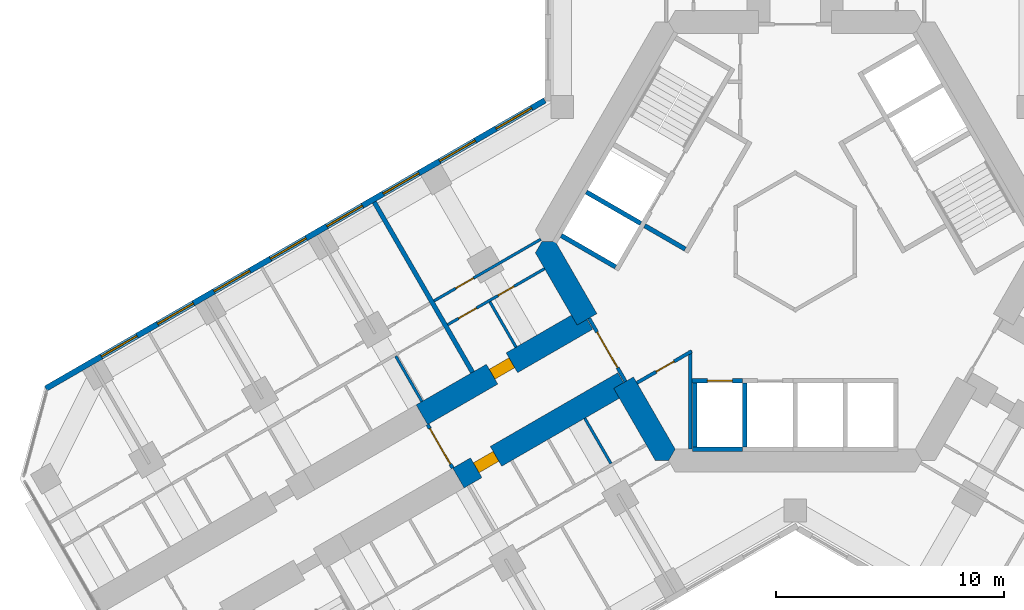
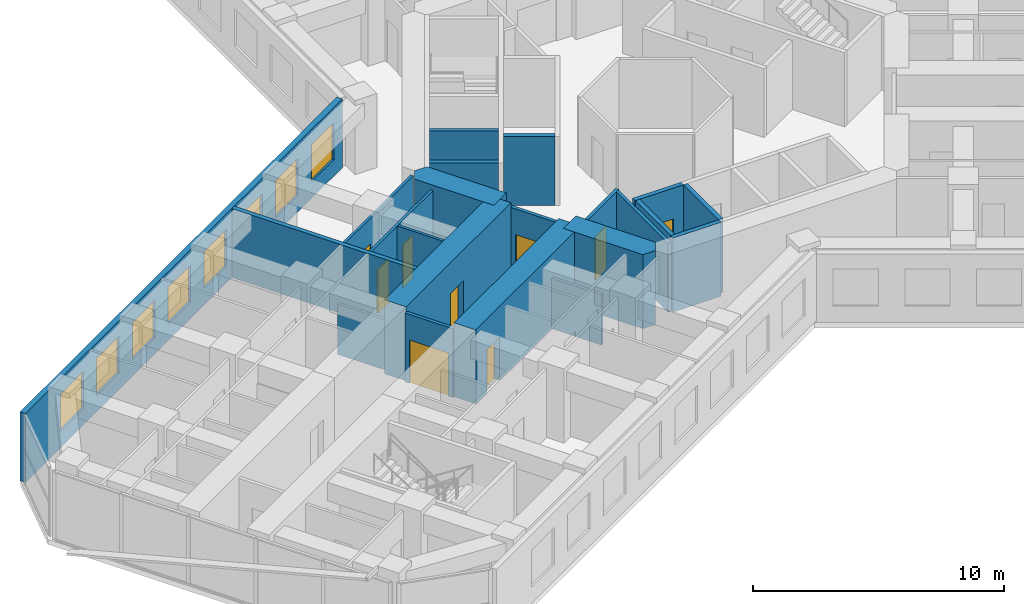
# One storey, part 12 of 21: 22 walls, 9 doors, 8 windows, 17 openings.
"""IFC4 building model written with IfcOpenShell, lengths in metres."""

from ifc_helpers import new_model, si_unit, direction, frame, frame_2d, origin, place, context, subcontext, project, spatial, polyline, rectangle, outline, extrude, material, layer, layer_set, type_object, element, fill, save


model = new_model("IFC4")

# Units and contexts
model_context = context("Model", 3, precision=1e-05, world=origin(), true_north=direction((0.0, 1.0)))
body_context = subcontext(model_context, "Body", "Model", "MODEL_VIEW")
ifc_project = project(units=[si_unit("LENGTHUNIT", "METRE"), si_unit("AREAUNIT", "SQUARE_METRE"), si_unit("VOLUMEUNIT", "CUBIC_METRE"), si_unit("PLANEANGLEUNIT", "RADIAN"), si_unit("MASSUNIT", "GRAM", prefix="KILO")], contexts=[model_context])

# Site, building, storey
site_placement = place(None, origin())
site = spatial("IfcSite", under=ifc_project, at=site_placement, CompositionType="ELEMENT")
building_placement = place(site_placement, origin())
building = spatial("IfcBuilding", under=site, at=building_placement, Name="Kosmar Iwan School Tower", CompositionType="ELEMENT")
storey_placement = place(building_placement, frame((0.0, 0.0, 53.800048828125)))
storey = spatial("IfcBuildingStorey", under=building, at=storey_placement, Name="L12", CompositionType="ELEMENT", Elevation=53.800048828125)

# Wall, opening, door
ifc_material_1 = material(Name="Gypsum board on steel studs, fire-rated", Category="steel")
ifc_layer_1 = layer(ifc_material_1, 0.14990234375)
ifc_layer_set_1 = layer_set([ifc_layer_1], Name="Core room partition 150")
wall_type_1 = type_object("IfcWallType", Name="Core room partition 150", PredefinedType="PARTITIONING", material=ifc_layer_set_1)
wall_1_placement = place(storey_placement, frame((-6.930908203125, -6.195556640625, 0.0), z_axis=(0.0, 0.0, 1.0), x_axis=(0.866007755774, 0.500030566006, 0.0)))
wall_1 = element("IfcWall", 1, at=wall_1_placement, inside=storey, type_object=wall_type_1, Name="Core room partition L12-CW10", PredefinedType="PARTITIONING", context=body_context, shape_type="SweptSolid", body=[
    extrude(rectangle(XDim=2.766357421875, YDim=0.14990234375, at=frame_2d((1.38330078125, 0.0))), origin(), (0.0, 0.0, 1.0), 3.349853515625),
])
opening_1_placement = place(wall_1_placement, frame((0.97607421875, 0.0, 0.0)))
opening_1 = element("IfcOpeningElement", 2, at=opening_1_placement, cuts=wall_1, Name="Opening D14", PredefinedType="OPENING", context=body_context, shape_type="SweptSolid", body=[
    extrude(rectangle(XDim=0.89990234375, YDim=2.10009765625, at=frame_2d((0.449951171875, 1.050048828125))), frame((0.0, 0.0869140625, 0.0), z_axis=(0.0, -1.0, 0.0), x_axis=(1.0, 0.0, 0.0)), (0.0, 0.0, 1.0), 0.173828125),
])
ifc_material_2 = material(Name="Timber fire door in steel frame", Category="steel")
door_type_1 = type_object("IfcDoorType", Name="Core room door 900x2100", OperationType="SINGLE_SWING_LEFT", PredefinedType="DOOR", material=ifc_material_2)
door_1_placement = place(opening_1_placement, origin())
door_1 = element("IfcDoor", 3, at=door_1_placement, inside=storey, type_object=door_type_1, Name="Cleaner's store door L12 4", OperationType="SINGLE_SWING_RIGHT", OverallHeight=2.10009765625, OverallWidth=0.89990234375, PredefinedType="DOOR", context=body_context, shape_type="SweptSolid", body=[
    extrude(rectangle(XDim=0.89990234375, YDim=2.10009765625, at=frame_2d((0.449951171875, 1.050048828125))), frame((0.0, 0.02490234375, 0.0), z_axis=(0.0, -1.0, 0.0), x_axis=(1.0, 0.0, 0.0)), (0.0, 0.0, 1.0), 0.050048828125),
])
fill(opening_1, door_1)

# Walls
wall_2_placement = place(storey_placement, frame((-4.60009765625, -4.774658203125, 0.0), z_axis=(0.0, 0.0, 1.0), x_axis=(0.0, -1.0, 0.0)))
element("IfcWall", 4, at=wall_2_placement, inside=storey, type_object=wall_type_1, Name="Core room partition L12-CW11", PredefinedType="PARTITIONING", context=body_context, shape_type="SweptSolid", body=[
    extrude(rectangle(XDim=4.3203125, YDim=0.14990234375, at=frame_2d((2.16015625, 0.0))), origin(), (0.0, 0.0, 1.0), 3.349853515625),
])
ifc_material_3 = material(Name="Concrete C50/60", Category="concrete")
ifc_layer_2 = layer(ifc_material_3, 1.0)
ifc_layer_set_2 = layer_set([ifc_layer_2], Name="Core wall 1000")
wall_type_2 = type_object("IfcWallType", Name="Core wall 1000", PredefinedType="SHEAR", material=ifc_layer_set_2)
wall_3_placement = place(storey_placement, origin())
element("IfcWall", 5, at=wall_3_placement, inside=storey, type_object=wall_type_2, Name="Core wall F210a", PredefinedType="SHEAR", context=body_context, shape_type="SweptSolid", body=[
    extrude(outline(polyline([(-9.546875, -3.664306640625), (-8.680908203125, -3.164306640625), (-10.5078125, 0.0), (-11.085205078125, 0.0), (-11.373779296875, -0.5), (-9.546875, -3.664306640625)])), origin(), (0.0, 0.0, 1.0), 3.599853515625),
])
wall_4_placement = place(storey_placement, origin())
element("IfcWall", 6, at=wall_4_placement, inside=storey, type_object=wall_type_2, Name="Core wall F210b", PredefinedType="SHEAR", context=body_context, shape_type="SweptSolid", body=[
    extrude(outline(polyline([(-6.119873046875, -9.60009765625), (-5.54248046875, -9.60009765625), (-5.25390625, -9.10009765625), (-7.080810546875, -5.935546875), (-7.94677734375, -6.435546875), (-6.119873046875, -9.60009765625)])), origin(), (0.0, 0.0, 1.0), 3.599853515625),
])

# Wall, opening, door
ifc_material_4 = material(Name="Concrete C50/60", Category="concrete")
ifc_layer_3 = layer(ifc_material_4, 1.0)
ifc_layer_set_3 = layer_set([ifc_layer_3], Name="Corridor buttress wall 1000")
wall_type_3 = type_object("IfcWallType", Name="Corridor buttress wall 1000", PredefinedType="SHEAR", material=ifc_layer_set_3)
wall_5_placement = place(storey_placement, frame((-7.513916015625, -6.185546875, 0.0), z_axis=(0.0, 0.0, 1.0), x_axis=(-0.866019549707, -0.500010139422, 0.0)))
wall_5 = element("IfcWall", 7, at=wall_5_placement, inside=storey, type_object=wall_type_3, Name="Corridor wall BL", PredefinedType="SHEAR", context=body_context, shape_type="SweptSolid", body=[
    extrude(rectangle(XDim=8.349853515625, YDim=1.0, at=frame_2d((4.1748046875, 0.0))), origin(), (0.0, 0.0, 1.0), 3.599853515625),
])
opening_2_placement = place(wall_5_placement, frame((6.449951171875, 0.0, 0.0)))
opening_2 = element("IfcOpeningElement", 8, at=opening_2_placement, cuts=wall_5, Name="Opening D1", PredefinedType="OPENING", context=body_context, shape_type="SweptSolid", body=[
    extrude(rectangle(XDim=1.0, YDim=2.10009765625, at=frame_2d((0.5, 1.050048828125))), frame((0.0, 0.511962890625, 0.0), z_axis=(0.0, -1.0, 0.0), x_axis=(1.0, 0.0, 0.0)), (0.0, 0.0, 1.0), 1.02392578125),
])
ifc_material_5 = material(Name="Timber fire door in steel frame", Category="steel")
door_type_2 = type_object("IfcDoorType", Name="Flat entrance door 1000x2100", OperationType="SINGLE_SWING_LEFT", PredefinedType="DOOR", material=ifc_material_5)
door_2_placement = place(opening_2_placement, origin())
door_2 = element("IfcDoor", 9, at=door_2_placement, inside=storey, type_object=door_type_2, Name="Flat L12-BL1 entrance door", OperationType="SINGLE_SWING_LEFT", OverallHeight=2.10009765625, OverallWidth=1.0, PredefinedType="DOOR", context=body_context, shape_type="SweptSolid", body=[
    extrude(rectangle(XDim=1.0, YDim=2.10009765625, at=frame_2d((0.5, 1.050048828125))), frame((0.0, 0.25, 0.0), z_axis=(0.0, -1.0, 0.0), x_axis=(1.0, 0.0, 0.0)), (0.0, 0.0, 1.0), 0.5),
])
fill(opening_2, door_2)

wall_6_placement = place(storey_placement, frame((-9.11376953125, -3.414306640625, 0.0), z_axis=(0.0, 0.0, 1.0), x_axis=(-0.866026859388, -0.499997478812, 0.0)))
wall_6 = element("IfcWall", 10, at=wall_6_placement, inside=storey, type_object=wall_type_3, Name="Corridor wall BR", PredefinedType="SHEAR", context=body_context, shape_type="SweptSolid", body=[
    extrude(rectangle(XDim=8.35009765625, YDim=1.0, at=frame_2d((4.175048828125, 0.0))), origin(), (0.0, 0.0, 1.0), 3.599853515625),
])
opening_3_placement = place(wall_6_placement, frame((3.800048828125, 0.0, 0.0)))
opening_3 = element("IfcOpeningElement", 11, at=opening_3_placement, cuts=wall_6, Name="Opening D1", PredefinedType="OPENING", context=body_context, shape_type="SweptSolid", body=[
    extrude(rectangle(XDim=1.0, YDim=2.10009765625, at=frame_2d((0.5, 1.050048828125))), frame((0.0, 0.511962890625, 0.0), z_axis=(0.0, -1.0, 0.0), x_axis=(1.0, 0.0, 0.0)), (0.0, 0.0, 1.0), 1.02392578125),
])
door_3_placement = place(opening_3_placement, origin())
door_3 = element("IfcDoor", 12, at=door_3_placement, inside=storey, type_object=door_type_2, Name="Flat L12-BR1 entrance door", OperationType="SINGLE_SWING_RIGHT", OverallHeight=2.10009765625, OverallWidth=1.0, PredefinedType="DOOR", context=body_context, shape_type="SweptSolid", body=[
    extrude(rectangle(XDim=1.0, YDim=2.10009765625, at=frame_2d((0.5, 1.050048828125))), frame((0.0, 0.25, 0.0), z_axis=(0.0, -1.0, 0.0), x_axis=(1.0, 0.0, 0.0)), (0.0, 0.0, 1.0), 0.5),
])
fill(opening_3, door_3)

ifc_material_6 = material(Name="Gypsum board on steel studs, fire-rated", Category="steel")
ifc_layer_4 = layer(ifc_material_6, 0.14990234375)
ifc_layer_set_4 = layer_set([ifc_layer_4], Name="Corridor end wall 150")
wall_type_4 = type_object("IfcWallType", Name="Corridor end wall 150", PredefinedType="PARTITIONING", material=ifc_layer_set_4)
wall_7_placement = place(storey_placement, frame((-16.09521484375, -8.0224609375, 0.0), z_axis=(0.0, 0.0, 1.0), x_axis=(0.50002983664, -0.866008176907, 0.0)))
wall_7 = element("IfcWall", 13, at=wall_7_placement, inside=storey, type_object=wall_type_4, Name="Partition L12-B-HW", PredefinedType="PARTITIONING", context=body_context, shape_type="SweptSolid", body=[
    extrude(rectangle(XDim=2.199951171875, YDim=0.14990234375, at=frame_2d((1.10009765625, 0.0))), origin(), (0.0, 0.0, 1.0), 3.349853515625),
])
opening_4_placement = place(wall_7_placement, frame((0.199951171875, 0.0, 0.0)))
opening_4 = element("IfcOpeningElement", 14, at=opening_4_placement, cuts=wall_7, Name="Opening D9", PredefinedType="OPENING", context=body_context, shape_type="SweptSolid", body=[
    extrude(rectangle(XDim=1.800048828125, YDim=2.10009765625, at=frame_2d((0.89990234375, 1.050048828125))), frame((0.0, 0.0869140625, 0.0), z_axis=(0.0, -1.0, 0.0), x_axis=(1.0, 0.0, 0.0)), (0.0, 0.0, 1.0), 0.173828125),
])
ifc_material_7 = material(Name="Steel framed glazed smoke door", Category="steel")
door_type_3 = type_object("IfcDoorType", Name="Corridor smoke door pair 1800x2100", OperationType="DOUBLE_DOOR_DOUBLE_SWING", PredefinedType="DOOR", material=ifc_material_7)
door_4_placement = place(opening_4_placement, origin())
door_4 = element("IfcDoor", 15, at=door_4_placement, inside=storey, type_object=door_type_3, Name="Entrance vestibule smoke doors L12-B", OperationType="DOUBLE_DOOR_DOUBLE_SWING", OverallHeight=2.10009765625, OverallWidth=1.800048828125, PredefinedType="DOOR", context=body_context, shape_type="SweptSolid", body=[
    extrude(rectangle(XDim=1.800048828125, YDim=2.10009765625, at=frame_2d((0.89990234375, 1.050048828125))), frame((0.0, 0.02490234375, 0.0), z_axis=(0.0, -1.0, 0.0), x_axis=(1.0, 0.0, 0.0)), (0.0, 0.0, 1.0), 0.050048828125),
])
fill(opening_4, door_4)

ifc_material_8 = material(Name="Steel framed glazed screen", Category="steel")
ifc_layer_5 = layer(ifc_material_8, 0.14990234375)
ifc_layer_set_5 = layer_set([ifc_layer_5], Name="Corridor screen wall 150")
wall_type_5 = type_object("IfcWallType", Name="Corridor screen wall 150", PredefinedType="PARTITIONING", material=ifc_layer_set_5)
wall_8_placement = place(storey_placement, frame((-9.02734375, -3.3642578125, 0.0), z_axis=(0.0, 0.0, 1.0), x_axis=(0.499995408039, -0.866028054938, 0.0)))
wall_8 = element("IfcWall", 16, at=wall_8_placement, inside=storey, type_object=wall_type_5, Name="Corridor screen B L12", PredefinedType="PARTITIONING", context=body_context, shape_type="SweptSolid", body=[
    extrude(rectangle(XDim=3.2001953125, YDim=0.14990234375, at=frame_2d((1.60009765625, 0.0))), origin(), (0.0, 0.0, 1.0), 3.349853515625),
])
opening_5_placement = place(wall_8_placement, frame((0.699951171875, 0.0, 0.0)))
opening_5 = element("IfcOpeningElement", 17, at=opening_5_placement, cuts=wall_8, Name="Opening D9", PredefinedType="OPENING", context=body_context, shape_type="SweptSolid", body=[
    extrude(rectangle(XDim=1.800048828125, YDim=2.10009765625, at=frame_2d((0.89990234375, 1.050048828125))), frame((0.0, 0.0869140625, 0.0), z_axis=(0.0, -1.0, 0.0), x_axis=(1.0, 0.0, 0.0)), (0.0, 0.0, 1.0), 0.173828125),
])
door_5_placement = place(opening_5_placement, origin())
door_5 = element("IfcDoor", 18, at=door_5_placement, inside=storey, type_object=door_type_3, Name="Corridor doors B L12", OperationType="DOUBLE_DOOR_DOUBLE_SWING", OverallHeight=2.10009765625, OverallWidth=1.800048828125, PredefinedType="DOOR", context=body_context, shape_type="SweptSolid", body=[
    extrude(rectangle(XDim=1.800048828125, YDim=2.10009765625, at=frame_2d((0.89990234375, 1.050048828125))), frame((0.0, 0.02490234375, 0.0), z_axis=(0.0, -1.0, 0.0), x_axis=(1.0, 0.0, 0.0)), (0.0, 0.0, 1.0), 0.050048828125),
])
fill(opening_5, door_5)

# Wall
ifc_material_9 = material(Name="Gypsum board on steel studs", Category="steel")
ifc_layer_6 = layer(ifc_material_9, 0.1201171875)
ifc_layer_set_6 = layer_set([ifc_layer_6], Name="Dwelling partition 120")
wall_type_6 = type_object("IfcWallType", Name="Dwelling partition 120", PredefinedType="PARTITIONING", material=ifc_layer_set_6)
wall_9_placement = place(storey_placement, frame((-9.21240234375, -7.74365234375, 0.0), z_axis=(0.0, 0.0, 1.0), x_axis=(0.500014693593, -0.866016920268, 0.0)))
element("IfcWall", 19, at=wall_9_placement, inside=storey, type_object=wall_type_6, Name="Partition L12-BL1-Y1", PredefinedType="PARTITIONING", context=body_context, shape_type="SweptSolid", body=[
    extrude(rectangle(XDim=2.2900390625, YDim=0.1201171875, at=frame_2d((1.14501953125, 0.0))), origin(), (0.0, 0.0, 1.0), 2.449951171875),
])

# Wall, openings, doors
wall_10_placement = place(storey_placement, frame((-10.971923828125, -1.1962890625, 0.0), z_axis=(0.0, 0.0, 1.0), x_axis=(-0.866023786258, -0.500002801628, 0.0)))
wall_10 = element("IfcWall", 20, at=wall_10_placement, inside=storey, type_object=wall_type_6, Name="Partition L12-BR1-W1", PredefinedType="PARTITIONING", context=body_context, shape_type="SweptSolid", body=[
    extrude(rectangle(XDim=4.89990234375, YDim=0.1201171875, at=frame_2d((2.449951171875, 0.0))), origin(), (0.0, 0.0, 1.0), 3.349853515625),
])
opening_6_placement = place(wall_10_placement, frame((1.550048828125, 0.0, 0.0)))
opening_6 = element("IfcOpeningElement", 21, at=opening_6_placement, cuts=wall_10, Name="Opening D3", PredefinedType="OPENING", context=body_context, shape_type="SweptSolid", body=[
    extrude(rectangle(XDim=0.800048828125, YDim=2.10009765625, at=frame_2d((0.39990234375, 1.050048828125))), frame((0.0, 0.072021484375, 0.0), z_axis=(0.0, -1.0, 0.0), x_axis=(1.0, 0.0, 0.0)), (0.0, 0.0, 1.0), 0.14404296875),
])
opening_7_placement = place(wall_10_placement, frame((3.449951171875, 0.0, 0.0)))
opening_7 = element("IfcOpeningElement", 22, at=opening_7_placement, cuts=wall_10, Name="Opening D2", PredefinedType="OPENING", context=body_context, shape_type="SweptSolid", body=[
    extrude(rectangle(XDim=0.89990234375, YDim=2.10009765625, at=frame_2d((0.449951171875, 1.050048828125))), frame((0.0, 0.072021484375, 0.0), z_axis=(0.0, -1.0, 0.0), x_axis=(1.0, 0.0, 0.0)), (0.0, 0.0, 1.0), 0.14404296875),
])
ifc_material_10 = material(Name="Timber door in timber frame", Category="wood")
door_type_4 = type_object("IfcDoorType", Name="Internal door 900x2100", OperationType="SINGLE_SWING_LEFT", PredefinedType="DOOR", material=ifc_material_10)
door_6_placement = place(opening_7_placement, origin())
door_6 = element("IfcDoor", 23, at=door_6_placement, inside=storey, type_object=door_type_4, Name="Entrance hall door L12-BR1-S2", OperationType="SINGLE_SWING_RIGHT", OverallHeight=2.10009765625, OverallWidth=0.89990234375, PredefinedType="DOOR", context=body_context, shape_type="SweptSolid", body=[
    extrude(rectangle(XDim=0.89990234375, YDim=2.10009765625, at=frame_2d((0.449951171875, 1.050048828125))), frame((0.0, 0.02490234375, 0.0), z_axis=(0.0, -1.0, 0.0), x_axis=(1.0, 0.0, 0.0)), (0.0, 0.0, 1.0), 0.050048828125),
])
fill(opening_7, door_6)
ifc_material_11 = material(Name="Timber door in timber frame", Category="wood")
door_type_5 = type_object("IfcDoorType", Name="Sanitary room door 800x2100", OperationType="SINGLE_SWING_LEFT", PredefinedType="DOOR", material=ifc_material_11)
door_7_placement = place(opening_6_placement, origin())
door_7 = element("IfcDoor", 24, at=door_7_placement, inside=storey, type_object=door_type_5, Name="Bathroom door L12-BR1-S1", OperationType="SINGLE_SWING_RIGHT", OverallHeight=2.10009765625, OverallWidth=0.800048828125, PredefinedType="DOOR", context=body_context, shape_type="SweptSolid", body=[
    extrude(rectangle(XDim=0.800048828125, YDim=2.10009765625, at=frame_2d((0.39990234375, 1.050048828125))), frame((0.0, 0.02490234375, 0.0), z_axis=(0.0, -1.0, 0.0), x_axis=(1.0, 0.0, 0.0)), (0.0, 0.0, 1.0), 0.050048828125),
])
fill(opening_6, door_7)

# Wall, opening, door
wall_11_placement = place(storey_placement, frame((-11.138916015625, 0.093017578125, 0.0), z_axis=(0.0, 0.0, 1.0), x_axis=(-0.866028230842, -0.499995103361, 0.0)))
wall_11 = element("IfcWall", 25, at=wall_11_placement, inside=storey, type_object=wall_type_6, Name="Partition L12-BR1-W2", PredefinedType="PARTITIONING", context=body_context, shape_type="SweptSolid", body=[
    extrude(rectangle(XDim=5.39990234375, YDim=0.1201171875, at=frame_2d((2.699951171875, 0.0))), origin(), (0.0, 0.0, 1.0), 3.349853515625),
])
opening_8_placement = place(wall_11_placement, frame((3.39990234375, 0.0, 0.0)))
opening_8 = element("IfcOpeningElement", 26, at=opening_8_placement, cuts=wall_11, Name="Opening D2", PredefinedType="OPENING", context=body_context, shape_type="SweptSolid", body=[
    extrude(rectangle(XDim=0.89990234375, YDim=2.10009765625, at=frame_2d((0.449951171875, 1.050048828125))), frame((0.0, 0.072021484375, 0.0), z_axis=(0.0, -1.0, 0.0), x_axis=(1.0, 0.0, 0.0)), (0.0, 0.0, 1.0), 0.14404296875),
])
door_8_placement = place(opening_8_placement, origin())
door_8 = element("IfcDoor", 27, at=door_8_placement, inside=storey, type_object=door_type_4, Name="Studio living room and kitchen door L12-BR1-F1", OperationType="SINGLE_SWING_RIGHT", OverallHeight=2.10009765625, OverallWidth=0.89990234375, PredefinedType="DOOR", context=body_context, shape_type="SweptSolid", body=[
    extrude(rectangle(XDim=0.89990234375, YDim=2.10009765625, at=frame_2d((0.449951171875, 1.050048828125))), frame((0.0, 0.02490234375, 0.0), z_axis=(0.0, -1.0, 0.0), x_axis=(1.0, 0.0, 0.0)), (0.0, 0.0, 1.0), 0.050048828125),
])
fill(opening_8, door_8)

# Walls
wall_12_placement = place(storey_placement, frame((-12.2216796875, -4.63134765625, 0.0), z_axis=(0.0, 0.0, 1.0), x_axis=(-0.500014693593, 0.866016920268, 0.0)))
element("IfcWall", 28, at=wall_12_placement, inside=storey, type_object=wall_type_6, Name="Partition L12-BR1-Y1", PredefinedType="PARTITIONING", context=body_context, shape_type="SweptSolid", body=[
    extrude(rectangle(XDim=2.2900390625, YDim=0.1201171875, at=frame_2d((1.14501953125, 0.0))), origin(), (0.0, 0.0, 1.0), 3.349853515625),
])
wall_13_placement = place(storey_placement, frame((-16.341552734375, -7.010009765625, 0.0), z_axis=(0.0, 0.0, 1.0), x_axis=(-0.499968531483, 0.866043571379, 0.0)))
element("IfcWall", 29, at=wall_13_placement, inside=storey, type_object=wall_type_6, Name="Partition L12-BR2-Y1", PredefinedType="PARTITIONING", context=body_context, shape_type="SweptSolid", body=[
    extrude(rectangle(XDim=2.290283203125, YDim=0.1201171875, at=frame_2d((1.14501953125, 0.0))), origin(), (0.0, 0.0, 1.0), 2.449951171875),
])

# Wall, openings, windows
ifc_material_12 = material(Name="Black aluminium rainscreen on insulated framing", Category="aluminium")
ifc_layer_7 = layer(ifc_material_12, 0.25)
ifc_layer_set_7 = layer_set([ifc_layer_7], Name="External wall rainscreen 250")
wall_type_7 = type_object("IfcWallType", Name="External wall rainscreen 250", PredefinedType="SOLIDWALL", material=ifc_layer_set_7)
wall_14_placement = place(storey_placement, frame((-10.962890625, 6.170166015625, 0.0), z_axis=(0.0, 0.0, 1.0), x_axis=(-0.86602796634, -0.499995561497, 0.0)))
wall_14 = element("IfcWall", 30, at=wall_14_placement, inside=storey, type_object=wall_type_7, Name="External wall BR L12", PredefinedType="SOLIDWALL", context=body_context, shape_type="SweptSolid", body=[
    extrude(rectangle(XDim=25.226318359375, YDim=0.25, at=frame_2d((12.61328125, 0.0))), origin(), (0.0, 0.0, 1.0), 3.349853515625),
])
opening_9_placement = place(wall_14_placement, frame((0.666015625, 0.0, 0.800048828125)))
opening_9 = element("IfcOpeningElement", 31, at=opening_9_placement, cuts=wall_14, Name="Opening W1", PredefinedType="OPENING", context=body_context, shape_type="SweptSolid", body=[
    extrude(rectangle(XDim=1.800048828125, YDim=1.800048828125, at=frame_2d((0.89990234375, 0.89990234375))), frame((0.0, 0.136962890625, 0.0), z_axis=(0.0, -1.0, 0.0), x_axis=(1.0, 0.0, 0.0)), (0.0, 0.0, 1.0), 0.27392578125),
])
opening_10_placement = place(wall_14_placement, frame((3.51611328125, 0.0, 0.800048828125)))
opening_10 = element("IfcOpeningElement", 32, at=opening_10_placement, cuts=wall_14, Name="Opening W1", PredefinedType="OPENING", context=body_context, shape_type="SweptSolid", body=[
    extrude(rectangle(XDim=1.800048828125, YDim=1.800048828125, at=frame_2d((0.89990234375, 0.89990234375))), frame((0.0, 0.136962890625, 0.0), z_axis=(0.0, -1.0, 0.0), x_axis=(1.0, 0.0, 0.0)), (0.0, 0.0, 1.0), 0.27392578125),
])
opening_11_placement = place(wall_14_placement, frame((6.365966796875, 0.0, 0.800048828125)))
opening_11 = element("IfcOpeningElement", 33, at=opening_11_placement, cuts=wall_14, Name="Opening W1", PredefinedType="OPENING", context=body_context, shape_type="SweptSolid", body=[
    extrude(rectangle(XDim=1.800048828125, YDim=1.800048828125, at=frame_2d((0.89990234375, 0.89990234375))), frame((0.0, 0.136962890625, 0.0), z_axis=(0.0, -1.0, 0.0), x_axis=(1.0, 0.0, 0.0)), (0.0, 0.0, 1.0), 0.27392578125),
])
opening_12_placement = place(wall_14_placement, frame((9.216064453125, 0.0, 0.800048828125)))
opening_12 = element("IfcOpeningElement", 34, at=opening_12_placement, cuts=wall_14, Name="Opening W1", PredefinedType="OPENING", context=body_context, shape_type="SweptSolid", body=[
    extrude(rectangle(XDim=1.800048828125, YDim=1.800048828125, at=frame_2d((0.89990234375, 0.89990234375))), frame((0.0, 0.136962890625, 0.0), z_axis=(0.0, -1.0, 0.0), x_axis=(1.0, 0.0, 0.0)), (0.0, 0.0, 1.0), 0.27392578125),
])
opening_13_placement = place(wall_14_placement, frame((12.06591796875, 0.0, 0.800048828125)))
opening_13 = element("IfcOpeningElement", 35, at=opening_13_placement, cuts=wall_14, Name="Opening W1", PredefinedType="OPENING", context=body_context, shape_type="SweptSolid", body=[
    extrude(rectangle(XDim=1.800048828125, YDim=1.800048828125, at=frame_2d((0.89990234375, 0.89990234375))), frame((0.0, 0.136962890625, 0.0), z_axis=(0.0, -1.0, 0.0), x_axis=(1.0, 0.0, 0.0)), (0.0, 0.0, 1.0), 0.27392578125),
])
opening_14_placement = place(wall_14_placement, frame((14.916015625, 0.0, 0.800048828125)))
opening_14 = element("IfcOpeningElement", 36, at=opening_14_placement, cuts=wall_14, Name="Opening W1", PredefinedType="OPENING", context=body_context, shape_type="SweptSolid", body=[
    extrude(rectangle(XDim=1.800048828125, YDim=1.800048828125, at=frame_2d((0.89990234375, 0.89990234375))), frame((0.0, 0.136962890625, 0.0), z_axis=(0.0, -1.0, 0.0), x_axis=(1.0, 0.0, 0.0)), (0.0, 0.0, 1.0), 0.27392578125),
])
opening_15_placement = place(wall_14_placement, frame((17.76611328125, 0.0, 0.800048828125)))
opening_15 = element("IfcOpeningElement", 37, at=opening_15_placement, cuts=wall_14, Name="Opening W1", PredefinedType="OPENING", context=body_context, shape_type="SweptSolid", body=[
    extrude(rectangle(XDim=1.800048828125, YDim=1.800048828125, at=frame_2d((0.89990234375, 0.89990234375))), frame((0.0, 0.136962890625, 0.0), z_axis=(0.0, -1.0, 0.0), x_axis=(1.0, 0.0, 0.0)), (0.0, 0.0, 1.0), 0.27392578125),
])
opening_16_placement = place(wall_14_placement, frame((20.615966796875, 0.0, 0.800048828125)))
opening_16 = element("IfcOpeningElement", 38, at=opening_16_placement, cuts=wall_14, Name="Opening W1", PredefinedType="OPENING", context=body_context, shape_type="SweptSolid", body=[
    extrude(rectangle(XDim=1.800048828125, YDim=1.800048828125, at=frame_2d((0.89990234375, 0.89990234375))), frame((0.0, 0.136962890625, 0.0), z_axis=(0.0, -1.0, 0.0), x_axis=(1.0, 0.0, 0.0)), (0.0, 0.0, 1.0), 0.27392578125),
])
ifc_material_13 = material(Name="Black aluminium frame with dark triple glazing", Category="aluminium")
window_type = type_object("IfcWindowType", Name="Window 1800x1800", PartitioningType="SINGLE_PANEL", PredefinedType="WINDOW", material=ifc_material_13)
window_1_placement = place(opening_9_placement, origin())
window_1 = element("IfcWindow", 39, at=window_1_placement, inside=storey, type_object=window_type, Name="Window BR L12 -1", OverallHeight=1.800048828125, OverallWidth=1.800048828125, PartitioningType="SINGLE_PANEL", PredefinedType="WINDOW", context=body_context, shape_type="SweptSolid", body=[
    extrude(rectangle(XDim=1.800048828125, YDim=1.800048828125, at=frame_2d((0.89990234375, 0.89990234375))), frame((0.0, 0.030029296875, 0.0), z_axis=(0.0, -1.0, 0.0), x_axis=(1.0, 0.0, 0.0)), (0.0, 0.0, 1.0), 0.06005859375),
])
fill(opening_9, window_1)
window_2_placement = place(opening_10_placement, origin())
window_2 = element("IfcWindow", 40, at=window_2_placement, inside=storey, type_object=window_type, Name="Window BR L12 0", OverallHeight=1.800048828125, OverallWidth=1.800048828125, PartitioningType="SINGLE_PANEL", PredefinedType="WINDOW", context=body_context, shape_type="SweptSolid", body=[
    extrude(rectangle(XDim=1.800048828125, YDim=1.800048828125, at=frame_2d((0.89990234375, 0.89990234375))), frame((0.0, 0.030029296875, 0.0), z_axis=(0.0, -1.0, 0.0), x_axis=(1.0, 0.0, 0.0)), (0.0, 0.0, 1.0), 0.06005859375),
])
fill(opening_10, window_2)
window_3_placement = place(opening_11_placement, origin())
window_3 = element("IfcWindow", 41, at=window_3_placement, inside=storey, type_object=window_type, Name="Window BR L12 1", OverallHeight=1.800048828125, OverallWidth=1.800048828125, PartitioningType="SINGLE_PANEL", PredefinedType="WINDOW", context=body_context, shape_type="SweptSolid", body=[
    extrude(rectangle(XDim=1.800048828125, YDim=1.800048828125, at=frame_2d((0.89990234375, 0.89990234375))), frame((0.0, 0.030029296875, 0.0), z_axis=(0.0, -1.0, 0.0), x_axis=(1.0, 0.0, 0.0)), (0.0, 0.0, 1.0), 0.06005859375),
])
fill(opening_11, window_3)
window_4_placement = place(opening_12_placement, origin())
window_4 = element("IfcWindow", 42, at=window_4_placement, inside=storey, type_object=window_type, Name="Window BR L12 2", OverallHeight=1.800048828125, OverallWidth=1.800048828125, PartitioningType="SINGLE_PANEL", PredefinedType="WINDOW", context=body_context, shape_type="SweptSolid", body=[
    extrude(rectangle(XDim=1.800048828125, YDim=1.800048828125, at=frame_2d((0.89990234375, 0.89990234375))), frame((0.0, 0.030029296875, 0.0), z_axis=(0.0, -1.0, 0.0), x_axis=(1.0, 0.0, 0.0)), (0.0, 0.0, 1.0), 0.06005859375),
])
fill(opening_12, window_4)
window_5_placement = place(opening_13_placement, origin())
window_5 = element("IfcWindow", 43, at=window_5_placement, inside=storey, type_object=window_type, Name="Window BR L12 3", OverallHeight=1.800048828125, OverallWidth=1.800048828125, PartitioningType="SINGLE_PANEL", PredefinedType="WINDOW", context=body_context, shape_type="SweptSolid", body=[
    extrude(rectangle(XDim=1.800048828125, YDim=1.800048828125, at=frame_2d((0.89990234375, 0.89990234375))), frame((0.0, 0.030029296875, 0.0), z_axis=(0.0, -1.0, 0.0), x_axis=(1.0, 0.0, 0.0)), (0.0, 0.0, 1.0), 0.06005859375),
])
fill(opening_13, window_5)
window_6_placement = place(opening_14_placement, origin())
window_6 = element("IfcWindow", 44, at=window_6_placement, inside=storey, type_object=window_type, Name="Window BR L12 4", OverallHeight=1.800048828125, OverallWidth=1.800048828125, PartitioningType="SINGLE_PANEL", PredefinedType="WINDOW", context=body_context, shape_type="SweptSolid", body=[
    extrude(rectangle(XDim=1.800048828125, YDim=1.800048828125, at=frame_2d((0.89990234375, 0.89990234375))), frame((0.0, 0.030029296875, 0.0), z_axis=(0.0, -1.0, 0.0), x_axis=(1.0, 0.0, 0.0)), (0.0, 0.0, 1.0), 0.06005859375),
])
fill(opening_14, window_6)
window_7_placement = place(opening_15_placement, origin())
window_7 = element("IfcWindow", 45, at=window_7_placement, inside=storey, type_object=window_type, Name="Window BR L12 5", OverallHeight=1.800048828125, OverallWidth=1.800048828125, PartitioningType="SINGLE_PANEL", PredefinedType="WINDOW", context=body_context, shape_type="SweptSolid", body=[
    extrude(rectangle(XDim=1.800048828125, YDim=1.800048828125, at=frame_2d((0.89990234375, 0.89990234375))), frame((0.0, 0.030029296875, 0.0), z_axis=(0.0, -1.0, 0.0), x_axis=(1.0, 0.0, 0.0)), (0.0, 0.0, 1.0), 0.06005859375),
])
fill(opening_15, window_7)
window_8_placement = place(opening_16_placement, origin())
window_8 = element("IfcWindow", 46, at=window_8_placement, inside=storey, type_object=window_type, Name="Window BR L12 6", OverallHeight=1.800048828125, OverallWidth=1.800048828125, PartitioningType="SINGLE_PANEL", PredefinedType="WINDOW", context=body_context, shape_type="SweptSolid", body=[
    extrude(rectangle(XDim=1.800048828125, YDim=1.800048828125, at=frame_2d((0.89990234375, 0.89990234375))), frame((0.0, 0.030029296875, 0.0), z_axis=(0.0, -1.0, 0.0), x_axis=(1.0, 0.0, 0.0)), (0.0, 0.0, 1.0), 0.06005859375),
])
fill(opening_16, window_8)

# Walls
ifc_material_14 = material(Name="Concrete block masonry", Category="masonry")
ifc_layer_8 = layer(ifc_material_14, 0.199951171875)
ifc_layer_set_8 = layer_set([ifc_layer_8], Name="Fire lobby wall 200")
wall_type_8 = type_object("IfcWallType", Name="Fire lobby wall 200", PredefinedType="PARTITIONING", material=ifc_layer_set_8)
wall_15_placement = place(storey_placement, frame((-4.814208984375, -0.33837890625, 0.0), z_axis=(0.0, 0.0, 1.0), x_axis=(-0.865969381856, 0.500097020274, 0.0)))
element("IfcWall", 47, at=wall_15_placement, inside=storey, type_object=wall_type_8, Name="Firefighting lobby wall ST2", PredefinedType="PARTITIONING", context=body_context, shape_type="SweptSolid", body=[
    extrude(rectangle(XDim=2.0498046875, YDim=0.199951171875, at=frame_2d((1.02490234375, 0.0))), origin(), (0.0, 0.0, 1.0), 3.349853515625),
])
ifc_material_15 = material(Name="Concrete C50/60", Category="concrete")
ifc_layer_9 = layer(ifc_material_15, 0.199951171875)
ifc_layer_set_9 = layer_set([ifc_layer_9], Name="Lift shaft wall 200")
wall_type_9 = type_object("IfcWallType", Name="Lift shaft wall 200", PredefinedType="SHEAR", material=ifc_layer_set_9)
for number, where, z_axis, x_axis, name in (
    (48, (-6.7626953125, 0.78662109375, 0.0), (0.0, 0.0, 1.0), (-0.866027397988, 0.499996545922, 0.0), "Lift shaft wall AB 1"),
    (49, (-7.862548828125, -1.118408203125, 0.0), (0.0, 0.0, 1.0), (-0.866027397988, 0.499996545922, 0.0), "Lift shaft wall AB 2"),
):
    element("IfcWall", number, at=place(storey_placement, frame(where, z_axis=z_axis, x_axis=x_axis)), inside=storey, type_object=wall_type_9, Name=name, PredefinedType="SHEAR", context=body_context, shape_type="SweptSolid", body=[
        extrude(rectangle(XDim=2.75, YDim=0.199951171875, at=frame_2d((1.375, 0.0))), origin(), (0.0, 0.0, 1.0), 3.599853515625),
    ])

# Wall, opening, door
wall_16_placement = place(storey_placement, frame((-4.52490234375, -6.10009765625, 0.0), z_axis=(0.0, 0.0, 1.0), x_axis=(1.0, 0.0, 0.0)))
wall_16 = element("IfcWall", 50, at=wall_16_placement, inside=storey, type_object=wall_type_9, Name="Lift and stair front wall BC", PredefinedType="SHEAR", context=body_context, shape_type="SweptSolid", body=[
    extrude(rectangle(XDim=2.224853515625, YDim=0.199951171875, at=frame_2d((1.1123046875, 0.0))), origin(), (0.0, 0.0, 1.0), 3.599853515625),
])
opening_17_placement = place(wall_16_placement, frame((0.675048828125, 0.0, 0.0)))
opening_17 = element("IfcOpeningElement", 51, at=opening_17_placement, cuts=wall_16, Name="Opening LD1", PredefinedType="OPENING", context=body_context, shape_type="SweptSolid", body=[
    extrude(rectangle(XDim=1.10009765625, YDim=2.10009765625, at=frame_2d((0.550048828125, 1.050048828125))), frame((0.0, 0.112060546875, 0.0), z_axis=(0.0, -1.0, 0.0), x_axis=(1.0, 0.0, 0.0)), (0.0, 0.0, 1.0), 0.223876953125),
])
ifc_material_16 = material(Name="Stainless steel sliding lift door", Category="steel")
door_type_6 = type_object("IfcDoorType", Name="Lift landing door 1100x2100", OperationType="SLIDING_TO_LEFT", PredefinedType="DOOR", material=ifc_material_16)
door_9_placement = place(opening_17_placement, origin())
door_9 = element("IfcDoor", 52, at=door_9_placement, inside=storey, type_object=door_type_6, Name="Lift PL1 landing door L12", OperationType="SLIDING_TO_LEFT", OverallHeight=2.10009765625, OverallWidth=1.10009765625, PredefinedType="DOOR", context=body_context, shape_type="SweptSolid", body=[
    extrude(rectangle(XDim=1.10009765625, YDim=2.10009765625, at=frame_2d((0.550048828125, 1.050048828125))), frame((0.0, 0.02490234375, 0.0), z_axis=(0.0, -1.0, 0.0), x_axis=(1.0, 0.0, 0.0)), (0.0, 0.0, 1.0), 0.050048828125),
])
fill(opening_17, door_9)

# Walls
wall_17_placement = place(storey_placement, frame((-4.5, -9.10009765625, 0.0), z_axis=(0.0, 0.0, 1.0), x_axis=(1.0, 0.0, 0.0)))
element("IfcWall", 53, at=wall_17_placement, inside=storey, type_object=wall_type_9, Name="Lift and stair back wall BC", PredefinedType="SHEAR", context=body_context, shape_type="SweptSolid", body=[
    extrude(rectangle(XDim=2.199951171875, YDim=0.199951171875, at=frame_2d((1.10009765625, 0.0))), origin(), (0.0, 0.0, 1.0), 3.599853515625),
])
for number, where, z_axis, x_axis, name in (
    (54, (-4.39990234375, -6.199951171875, 0.0), (0.0, 0.0, 1.0), (0.0, -1.0, 0.0), "Lift shaft wall BC 0"),
    (55, (-2.199951171875, -6.199951171875, 0.0), (0.0, 0.0, 1.0), (0.0, -1.0, 0.0), "Lift shaft wall BC 1"),
):
    element("IfcWall", number, at=place(storey_placement, frame(where, z_axis=z_axis, x_axis=x_axis)), inside=storey, type_object=wall_type_9, Name=name, PredefinedType="SHEAR", context=body_context, shape_type="SweptSolid", body=[
        extrude(rectangle(XDim=2.800048828125, YDim=0.199951171875, at=frame_2d((1.39990234375, 0.0))), origin(), (0.0, 0.0, 1.0), 3.599853515625),
    ])
ifc_material_17 = material(Name="Concrete block masonry", Category="masonry")
ifc_layer_10 = layer(ifc_material_17, 0.199951171875)
ifc_layer_set_10 = layer_set([ifc_layer_10], Name="Party wall 200")
wall_type_10 = type_object("IfcWallType", Name="Party wall 200", PredefinedType="PARTITIONING", material=ifc_layer_set_10)
wall_18_placement = place(storey_placement, frame((-14.126953125, -5.7314453125, 0.0), z_axis=(0.0, 0.0, 1.0), x_axis=(-0.499995216735, 0.866028165386, 0.0)))
element("IfcWall", 56, at=wall_18_placement, inside=storey, type_object=wall_type_10, Name="Partition L12-BR2-PW", PredefinedType="PARTITIONING", context=body_context, shape_type="SweptSolid", body=[
    extrude(rectangle(XDim=8.60009765625, YDim=0.199951171875, at=frame_2d((4.300048828125, 0.0))), origin(), (0.0, 0.0, 1.0), 3.349853515625),
])

save(model, "model.ifc")
